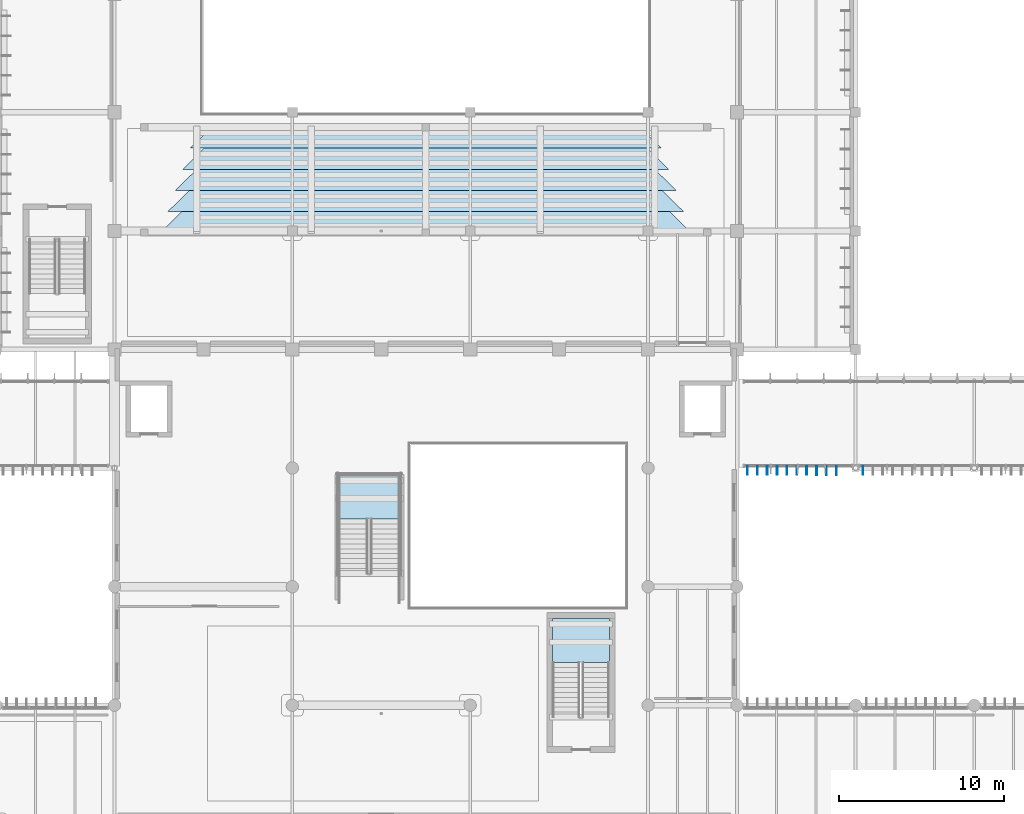
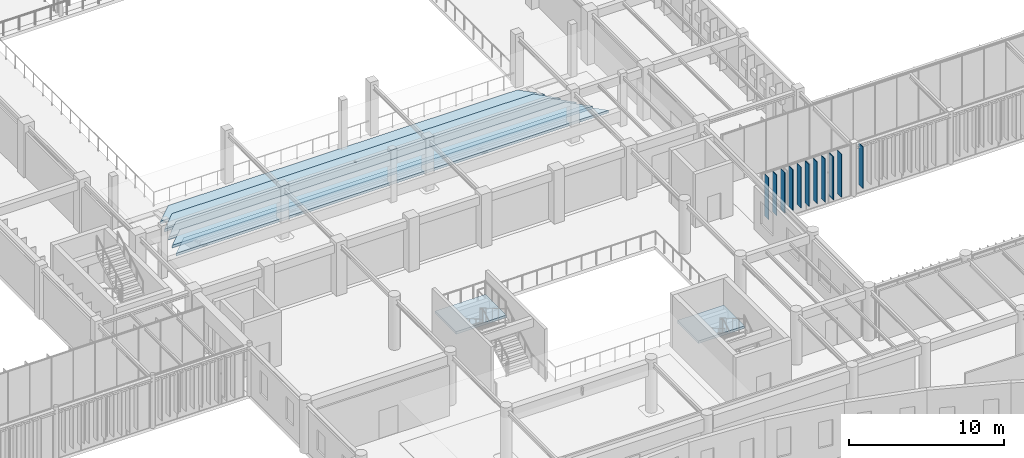
# One storey, part 22 of 122: 11 plates, 7 slabs, 2 elements without a shape of their own.
"""IFC4 building model written with IfcOpenShell, lengths in metres."""

from ifc_helpers import new_model, si_unit, direction, frame, origin, origin_2d, place, context, subcontext, project, spatial, polyline, rectangle, outline, extrude, material, layer, layer_set, type_object, element, aggregate, save


model = new_model("IFC4")

# Units and contexts
model_context = context("Model", 3, precision=1e-05, world=origin(), true_north=direction((0.0, 1.0)))
body_context = subcontext(model_context, "Body", "Model", "MODEL_VIEW")
ifc_project = project(units=[si_unit("LENGTHUNIT", "METRE"), si_unit("AREAUNIT", "SQUARE_METRE"), si_unit("VOLUMEUNIT", "CUBIC_METRE"), si_unit("PLANEANGLEUNIT", "RADIAN"), si_unit("MASSUNIT", "GRAM", prefix="KILO")], contexts=[model_context])

# Site, building, storey
site_placement = place(None, origin())
site = spatial("IfcSite", under=ifc_project, at=site_placement, CompositionType="ELEMENT")
building_placement = place(site_placement, origin())
building = spatial("IfcBuilding", under=site, at=building_placement, Name="Tazoul Stagehouse", CompositionType="ELEMENT")
storey_placement = place(building_placement, frame((0.0, 0.0, 4.800048828125)))
storey = spatial("IfcBuildingStorey", under=building, at=storey_placement, Name="L01", CompositionType="ELEMENT", Elevation=4.800048828125)

# Stair, slab
ifc_material_1 = material(Name="Concrete C40/50", Category="concrete")
stair_type_1 = type_object("IfcStairType", Name="Protected Core Dogleg Stair 4200", PredefinedType="HALF_TURN_STAIR", material=ifc_material_1)
stair_1_placement = place(storey_placement, origin())
stair_1 = element("IfcStair", 1, at=stair_1_placement, inside=storey, type_object=stair_type_1, Name="L01 Core Escape Stair ST-08", PredefinedType="HALF_TURN_STAIR")
ifc_layer_1 = layer(ifc_material_1, 0.179931640625, Name="Concrete C40/50")
ifc_layer_set_1 = layer_set([ifc_layer_1], Name="Concrete C40/50")
slab_type_1 = type_object("IfcSlabType", Name="Core Half-Landing Slab 180", PredefinedType="LANDING", material=ifc_layer_set_1)
slab_1_placement = place(storey_placement, frame((0.0, 0.0, 1.89990234375)))
slab_1 = element("IfcSlab", 2, at=slab_1_placement, type_object=slab_type_1, Name="ST-08 landing 1", PredefinedType="LANDING", context=body_context, shape_type="SweptSolid", body=[
    extrude(outline(polyline([(87.64990234375, 32.780029296875), (87.64990234375, 35.47998046875), (84.199951171875, 35.47998046875), (84.199951171875, 32.780029296875), (87.64990234375, 32.780029296875)])), origin(), (0.0, 0.0, 1.0), 0.199951171875),
])
aggregate(stair_1, [slab_1])

stair_type_2 = type_object("IfcStairType", Name="Grand Foyer Ceremonial Straight Stair", PredefinedType="HALF_TURN_STAIR", material=ifc_material_1)
stair_2_placement = place(storey_placement, origin())
stair_2 = element("IfcStair", 3, at=stair_2_placement, inside=storey, type_object=stair_type_2, Name="L01 Civic Feature Stair ST-ATR-01", PredefinedType="HALF_TURN_STAIR")
slab_2_placement = place(storey_placement, frame((0.0, 0.0, 1.89990234375)))
slab_2 = element("IfcSlab", 4, at=slab_2_placement, type_object=slab_type_1, Name="ST-ATR-01 landing 1", PredefinedType="LANDING", context=body_context, shape_type="SweptSolid", body=[
    extrude(outline(polyline([(74.949951171875, 41.5), (74.949951171875, 44.199951171875), (71.199951171875, 44.199951171875), (71.199951171875, 41.5), (74.949951171875, 41.5)])), origin(), (0.0, 0.0, 1.0), 0.199951171875),
])
aggregate(stair_2, [slab_2])

# Plates
ifc_material_2 = material(Name="Anodised Bronze Aluminium 6063-T6", Category="aluminium")
ifc_layer_2 = layer(ifc_material_2, 0.52001953125, Name="Anodised Bronze Aluminium 6063-T6")
ifc_layer_set_2 = layer_set([ifc_layer_2], Name="Anodised Bronze Aluminium 6063-T6")
plate_type_1 = type_object("IfcPlateType", Name="Parametric Terracotta-Bronze Solar Fin 520x3200", PredefinedType="USERDEFINED", material=ifc_layer_set_2)
for number, where, z_axis, x_axis, name in (
    (5, (96.639892578125, 44.449951171875, 0.68994140625), (0.0, 0.0, 1.0), (1.0, 0.0, 0.0), "L01 Parametric Solar Fin SFN-18 (CW-ELNK-S-L01-B1-02)"),
    (6, (97.239990234375, 44.449951171875, 0.68994140625), (0.0, 0.0, 1.0), (1.0, 0.0, 0.0), "L01 Parametric Solar Fin SFN-18 (CW-ELNK-S-L01-B1-03)"),
    (7, (97.840087890625, 44.449951171875, 0.68994140625), (0.0, 0.0, 1.0), (1.0, 0.0, 0.0), "L01 Parametric Solar Fin SFN-18 (CW-ELNK-S-L01-B1-04)"),
    (8, (98.43994140625, 44.449951171875, 0.68994140625), (0.0, 0.0, 1.0), (1.0, 0.0, 0.0), "L01 Parametric Solar Fin SFN-18 (CW-ELNK-S-L01-B1-05)"),
):
    element("IfcPlate", number, at=place(storey_placement, frame(where, z_axis=z_axis, x_axis=x_axis)), inside=storey, type_object=plate_type_1, Name=name, ObjectType="SOLAR FIN", PredefinedType="USERDEFINED", context=body_context, shape_type="SweptSolid", body=[
        extrude(rectangle(XDim=0.044921875, YDim=0.52001953125, at=origin_2d()), origin(), (0.0, 0.0, 1.0), 3.199951171875),
    ])
ifc_layer_3 = layer(ifc_material_2, 0.530029296875, Name="Anodised Bronze Aluminium 6063-T6")
ifc_layer_set_3 = layer_set([ifc_layer_3], Name="Anodised Bronze Aluminium 6063-T6")
plate_type_2 = type_object("IfcPlateType", Name="Parametric Terracotta-Bronze Solar Fin 530x3300", PredefinedType="USERDEFINED", material=ifc_layer_set_3)
for number, where, z_axis, x_axis, name in (
    (9, (96.0400390625, 44.445068359375, 0.58984375), (0.0, 0.0, 1.0), (1.0, 0.0, 0.0), "L01 Parametric Solar Fin SFN-19 (CW-ELNK-S-L01-B1-01)"),
    (10, (99.0400390625, 44.445068359375, 0.58984375), (0.0, 0.0, 1.0), (1.0, 0.0, 0.0), "L01 Parametric Solar Fin SFN-19 (CW-ELNK-S-L01-B1-06)"),
    (11, (99.639892578125, 44.445068359375, 0.58984375), (0.0, 0.0, 1.0), (1.0, 0.0, 0.0), "L01 Parametric Solar Fin SFN-19 (CW-ELNK-S-L01-B1-07)"),
    (12, (103.052001953125, 44.445068359375, 0.58984375), (0.0, 0.0, 1.0), (1.0, 0.0, 0.0), "L01 Parametric Solar Fin SFN-19 (CW-ELNK-S-L01-B2-01)"),
):
    element("IfcPlate", number, at=place(storey_placement, frame(where, z_axis=z_axis, x_axis=x_axis)), inside=storey, type_object=plate_type_2, Name=name, ObjectType="SOLAR FIN", PredefinedType="USERDEFINED", context=body_context, shape_type="SweptSolid", body=[
        extrude(rectangle(XDim=0.044921875, YDim=0.530029296875, at=origin_2d()), origin(), (0.0, 0.0, 1.0), 3.300048828125),
    ])
ifc_layer_4 = layer(ifc_material_2, 0.5400390625, Name="Anodised Bronze Aluminium 6063-T6")
ifc_layer_set_4 = layer_set([ifc_layer_4], Name="Anodised Bronze Aluminium 6063-T6")
plate_type_3 = type_object("IfcPlateType", Name="Parametric Terracotta-Bronze Solar Fin 540x3400", PredefinedType="USERDEFINED", material=ifc_layer_set_4)
for number, where, z_axis, x_axis, name in (
    (13, (100.239990234375, 44.43994140625, 0.489990234375), (0.0, 0.0, 1.0), (1.0, 0.0, 0.0), "L01 Parametric Solar Fin SFN-20 (CW-ELNK-S-L01-B1-08)"),
    (14, (100.840087890625, 44.43994140625, 0.489990234375), (0.0, 0.0, 1.0), (1.0, 0.0, 0.0), "L01 Parametric Solar Fin SFN-20 (CW-ELNK-S-L01-B1-09)"),
    (15, (101.43994140625, 44.43994140625, 0.489990234375), (0.0, 0.0, 1.0), (1.0, 0.0, 0.0), "L01 Parametric Solar Fin SFN-20 (CW-ELNK-S-L01-B1-10)"),
):
    element("IfcPlate", number, at=place(storey_placement, frame(where, z_axis=z_axis, x_axis=x_axis)), inside=storey, type_object=plate_type_3, Name=name, ObjectType="SOLAR FIN", PredefinedType="USERDEFINED", context=body_context, shape_type="SweptSolid", body=[
        extrude(rectangle(XDim=0.044921875, YDim=0.5400390625, at=origin_2d()), origin(), (0.0, 0.0, 1.0), 3.39990234375),
    ])

# Slabs
ifc_layer_5 = layer(ifc_material_1, 0.2099609375, Name="Concrete C40/50")
ifc_layer_set_5 = layer_set([ifc_layer_5], Name="Concrete C40/50")
slab_type_2 = type_object("IfcSlabType", Name="Stepped Circle Seating Tier 210", PredefinedType="USERDEFINED", material=ifc_layer_set_5)
slab_3_placement = place(storey_placement, frame((0.0, 0.0, 0.08984375)))
element("IfcSlab", 16, at=slab_3_placement, inside=storey, type_object=slab_type_2, Name="Stand V1-DRESS Seating Tier Row 1", ObjectType="SEATING TIER", PredefinedType="USERDEFINED", context=body_context, shape_type="SweptSolid", body=[
    extrude(outline(polyline([(62.199951171875, 64.02001953125), (90.800048828125, 64.02001953125), (89.5, 65.300048828125), (63.5, 65.300048828125), (62.199951171875, 64.02001953125)])), origin(), (0.0, 0.0, 1.0), 0.210205078125),
])
slab_4_placement = place(storey_placement, frame((0.0, 0.0, 0.389892578125)))
element("IfcSlab", 17, at=slab_4_placement, inside=storey, type_object=slab_type_2, Name="Stand V1-DRESS Seating Tier Row 2", ObjectType="SEATING TIER", PredefinedType="USERDEFINED", context=body_context, shape_type="SweptSolid", body=[
    extrude(outline(polyline([(61.75, 62.739990234375), (91.25, 62.739990234375), (89.949951171875, 64.02001953125), (63.050048828125, 64.02001953125), (61.75, 62.739990234375)])), origin(), (0.0, 0.0, 1.0), 0.2099609375),
])
slab_5_placement = place(storey_placement, frame((0.0, 0.0, 0.68994140625)))
element("IfcSlab", 18, at=slab_5_placement, inside=storey, type_object=slab_type_2, Name="Stand V1-DRESS Seating Tier Row 3", ObjectType="SEATING TIER", PredefinedType="USERDEFINED", context=body_context, shape_type="SweptSolid", body=[
    extrude(outline(polyline([(61.300048828125, 61.4599609375), (91.699951171875, 61.4599609375), (90.39990234375, 62.739990234375), (62.60009765625, 62.739990234375), (61.300048828125, 61.4599609375)])), origin(), (0.0, 0.0, 1.0), 0.2099609375),
])
slab_6_placement = place(storey_placement, frame((0.0, 0.0, 0.989990234375)))
element("IfcSlab", 19, at=slab_6_placement, inside=storey, type_object=slab_type_2, Name="Stand V1-DRESS Seating Tier Row 4", ObjectType="SEATING TIER", PredefinedType="USERDEFINED", context=body_context, shape_type="SweptSolid", body=[
    extrude(outline(polyline([(60.85009765625, 60.179931640625), (92.14990234375, 60.179931640625), (90.85009765625, 61.4599609375), (62.14990234375, 61.4599609375), (60.85009765625, 60.179931640625)])), origin(), (0.0, 0.0, 1.0), 0.2099609375),
])
slab_7_placement = place(storey_placement, frame((0.0, 0.0, 1.2900390625)))
element("IfcSlab", 20, at=slab_7_placement, inside=storey, type_object=slab_type_2, Name="Stand V1-DRESS Seating Tier Row 5", ObjectType="SEATING TIER", PredefinedType="USERDEFINED", context=body_context, shape_type="SweptSolid", body=[
    extrude(outline(polyline([(60.39990234375, 58.89990234375), (92.60009765625, 58.89990234375), (91.300048828125, 60.179931640625), (61.699951171875, 60.179931640625), (60.39990234375, 58.89990234375)])), origin(), (0.0, 0.0, 1.0), 0.2099609375),
])

save(model, "model.ifc")
